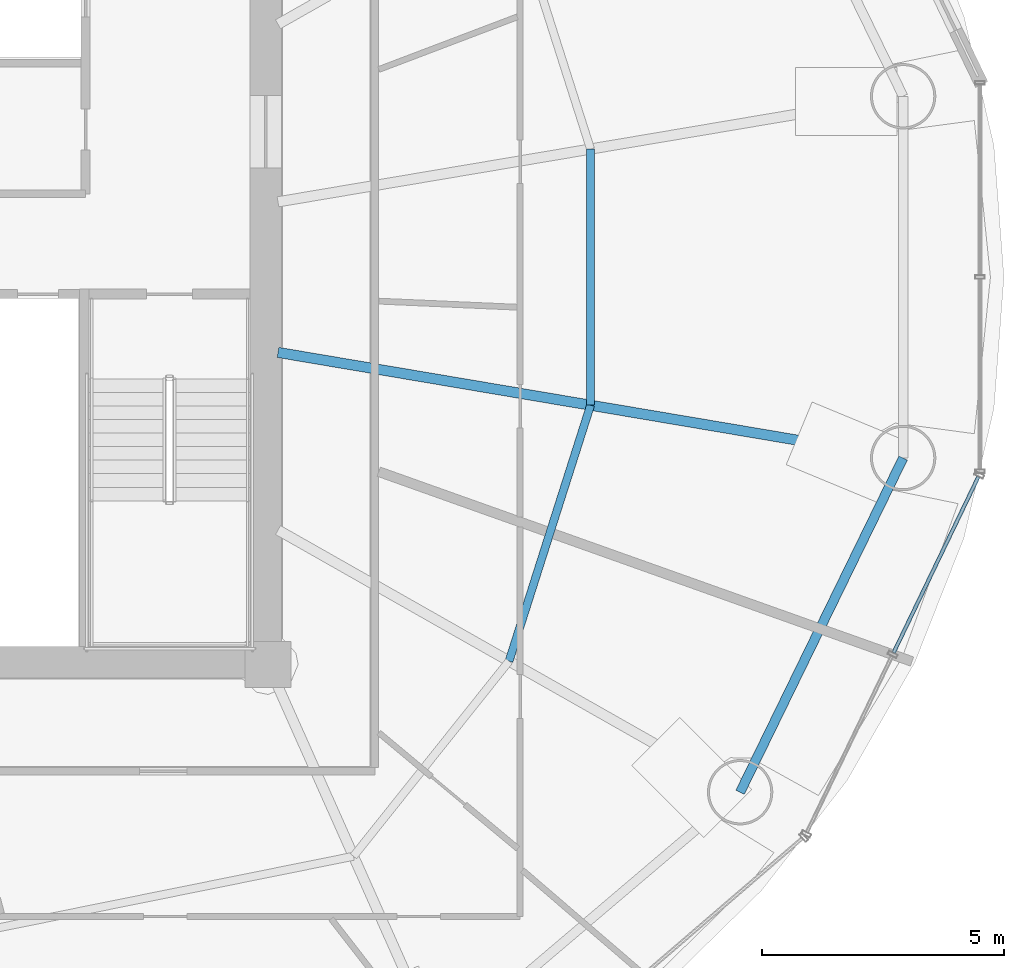
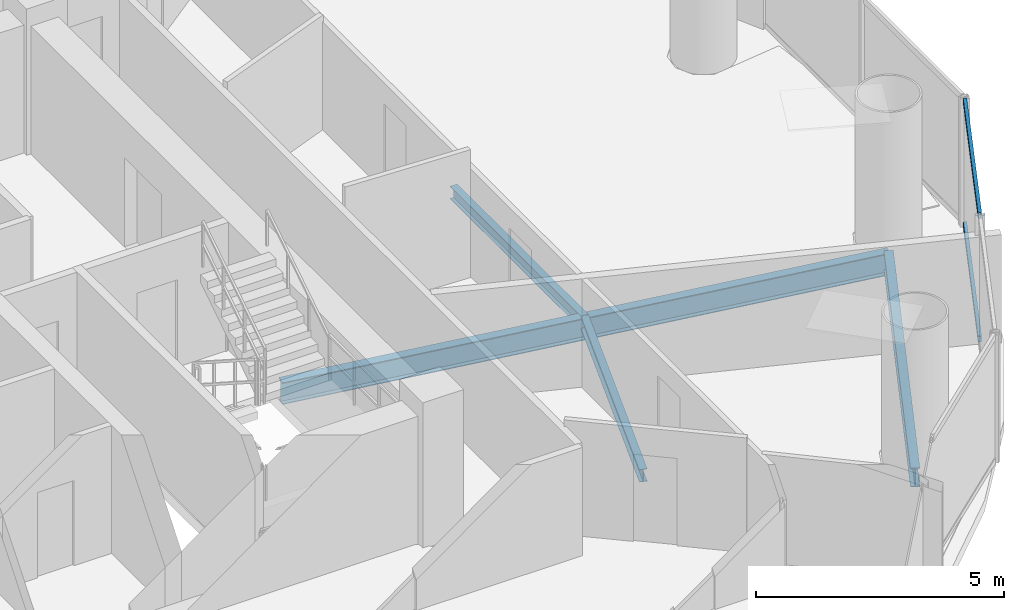
# One storey, part 11 of 26: 4 beams, 2 members, 1 element without a shape of its own.
"""IFC4 building model written with IfcOpenShell, lengths in metres."""

from ifc_helpers import new_model, si_unit, direction, frame, origin, origin_2d, place, context, subcontext, project, spatial, hollow_rectangle, i_section, extrude, source, transform, mapped, material, material_profile, profile_set, type_object, element, aggregate, save


model = new_model("IFC4")

# Units and contexts
model_context = context("Model", 3, precision=1e-05, world=origin(), true_north=direction((-0.2419218956, 0.970295726276)))
body_context = subcontext(model_context, "Body", "Model", "MODEL_VIEW")
ifc_project = project(units=[si_unit("LENGTHUNIT", "METRE"), si_unit("AREAUNIT", "SQUARE_METRE"), si_unit("VOLUMEUNIT", "CUBIC_METRE"), si_unit("PLANEANGLEUNIT", "RADIAN"), si_unit("MASSUNIT", "GRAM", prefix="KILO")], contexts=[model_context])

# Site, building, storey
site_placement = place(None, origin())
site = spatial("IfcSite", under=ifc_project, at=site_placement, CompositionType="ELEMENT")
building_placement = place(site_placement, origin())
building = spatial("IfcBuilding", under=site, at=building_placement, Name="Cobrevalo Terracotta Tower", CompositionType="ELEMENT")
storey_placement = place(building_placement, frame((0.0, 0.0, 182.199951171875)))
storey = spatial("IfcBuildingStorey", under=building, at=storey_placement, Name="L48", CompositionType="ELEMENT", Elevation=182.199951171875)

# Beams
ifc_material_1 = material(Name="Steel S355", Category="steel")
ifc_material_profile_1 = material_profile(ifc_material_1, i_section(OverallWidth=0.2109375, OverallDepth=0.5390625, WebThickness=0.01171875, FlangeThickness=0.018798828125, at=origin_2d()), Name="W 530x109")
ifc_profile_set_1 = profile_set([ifc_material_profile_1], Name="Steel S355")
beam_type_1 = type_object("IfcBeamType", Name="Structural Beam W 530x109 (Steel S355)", PredefinedType="BEAM", material=ifc_profile_set_1)
beam_1_placement = place(storey_placement, frame((60.11669921875, 23.06396484375, -0.53955078125), z_axis=(-0.986029732232, 0.166569406417, 0.0), x_axis=(-0.166569406417, -0.986029732232, 0.0)))
element("IfcBeam", 1, at=beam_1_placement, inside=storey, type_object=beam_type_1, Name="L48 radial floor girder 16", PredefinedType="BEAM", context=body_context, shape_type="SweptSolid", body=[
    extrude(i_section(OverallWidth=0.2109375, OverallDepth=0.5390625, WebThickness=0.01171875, FlangeThickness=0.018798828125, at=origin_2d()), origin(), (0.0, 0.0, 1.0), 13.094482421875),
])
ifc_material_profile_2 = material_profile(ifc_material_1, i_section(OverallWidth=0.1650390625, OverallDepth=0.31005859375, WebThickness=0.005859375, FlangeThickness=0.009765625, at=origin_2d()), Name="W 310x38.7")
ifc_profile_set_2 = profile_set([ifc_material_profile_2], Name="Steel S355")
beam_type_2 = type_object("IfcBeamType", Name="Structural Joist W 310x38.7 (Steel S355)", PredefinedType="JOIST", material=ifc_profile_set_2)
beam_2_placement = place(storey_placement, frame((51.977294921875, 18.868896484375, -0.425048828125), z_axis=(0.303497928386, 0.952832098255, 0.0), x_axis=(-0.952832098255, 0.303497928386, 0.0)))
element("IfcBeam", 2, at=beam_2_placement, inside=storey, type_object=beam_type_2, Name="L48 circumferential secondary floor joist 15", PredefinedType="JOIST", context=body_context, shape_type="SweptSolid", body=[
    extrude(i_section(OverallWidth=0.1650390625, OverallDepth=0.31005859375, WebThickness=0.005859375, FlangeThickness=0.009765625, at=origin_2d()), origin(), (0.0, 0.0, 1.0), 5.54736328125),
])
beam_3_placement = place(storey_placement, frame((53.660888671875, 24.154541015625, -0.425048828125), z_axis=(0.0, 1.0, 0.0), x_axis=(-1.0, 0.0, 0.0)))
element("IfcBeam", 3, at=beam_3_placement, inside=storey, type_object=beam_type_2, Name="L48 circumferential secondary floor joist 16", PredefinedType="JOIST", context=body_context, shape_type="SweptSolid", body=[
    extrude(i_section(OverallWidth=0.1650390625, OverallDepth=0.31005859375, WebThickness=0.005859375, FlangeThickness=0.009765625, at=origin_2d()), origin(), (0.0, 0.0, 1.0), 5.291015625),
])
ifc_material_profile_3 = material_profile(ifc_material_1, i_section(OverallWidth=0.194091796875, OverallDepth=0.468994140625, WebThickness=0.011474609375, FlangeThickness=0.0205078125, at=origin_2d()), Name="W 460x106")
ifc_profile_set_3 = profile_set([ifc_material_profile_3], Name="Steel S355")
beam_type_3 = type_object("IfcBeamType", Name="Structural Spandrel W 460x106 (Steel S355)", PredefinedType="SPANDREL", material=ifc_profile_set_3)
beam_4_placement = place(storey_placement, frame((56.749755859375, 16.160888671875, -0.50439453125), z_axis=(0.438380418332, 0.898789524206, 0.0), x_axis=(-0.898789524206, 0.438380418332, 0.0)))
element("IfcBeam", 4, at=beam_4_placement, inside=storey, type_object=beam_type_3, Name="L48 perimeter ring spandrel 15", PredefinedType="SPANDREL", context=body_context, shape_type="SweptSolid", body=[
    extrude(i_section(OverallWidth=0.194091796875, OverallDepth=0.468994140625, WebThickness=0.011474609375, FlangeThickness=0.0205078125, at=origin_2d()), origin(), (0.0, 0.0, 1.0), 7.680419921875),
])

# Curtain wall, members
ifc_material_2 = material(Name="Anodized aluminium", Category="aluminium")
curtain_wall_type = type_object("IfcCurtainWallType", Name="Mid-tower high-wind unitised curtain wall CW-U2", PredefinedType="NOTDEFINED", material=ifc_material_2)
curtain_wall_placement = place(storey_placement, origin())
curtain_wall = element("IfcCurtainWall", 5, at=curtain_wall_placement, inside=storey, type_object=curtain_wall_type, Name="L48 curtain wall CW-L48-S15", PredefinedType="NOTDEFINED")
ifc_material_profile_4 = material_profile(ifc_material_2, hollow_rectangle(XDim=0.074951171875, YDim=0.14990234375, WallThickness=0.00439453125, at=origin_2d()), Name="CWT 75x150")
ifc_profile_set_4 = profile_set([ifc_material_profile_4], Name="Anodized aluminium")
member_type = type_object("IfcMemberType", Name="Tower unitised aluminium transom 75x150", PredefinedType="USERDEFINED", material=ifc_profile_set_4)
shared_shape = source(origin(), body_context, "Body", "SweptSolid", [
    extrude(hollow_rectangle(XDim=0.074951171875, YDim=0.14990234375, WallThickness=0.00439453125, at=origin_2d()), origin(), (0.0, 0.0, 1.0), 4.035888671875),
])
member_1_placement = place(storey_placement, frame((59.91845703125, 19.04052734375, 0.050048828125), z_axis=(0.434221176581, 0.900806288726, 0.0), x_axis=(-0.900806288726, 0.434221176581, 0.0)))
member_1 = element("IfcMember", 6, at=member_1_placement, type_object=member_type, Name="CW-L48-S15 transom B02-T1", ObjectType="TRANSOM", PredefinedType="USERDEFINED", context=body_context, shape_type="MappedRepresentation", body=[
    mapped(shared_shape, transform((0.0, 0.0, 0.0), scale=1.0)),
])
member_2_placement = place(storey_placement, frame((59.91845703125, 19.04052734375, 3.10009765625), z_axis=(0.434221176581, 0.900806288726, 0.0), x_axis=(-0.900806288726, 0.434221176581, 0.0)))
member_2 = element("IfcMember", 7, at=member_2_placement, type_object=member_type, Name="CW-L48-S15 transom B02-T2", ObjectType="TRANSOM", PredefinedType="USERDEFINED", context=body_context, shape_type="MappedRepresentation", body=[
    mapped(shared_shape, transform((0.0, 0.0, 0.0), scale=1.0)),
])
aggregate(curtain_wall, [member_1, member_2])

save(model, "model.ifc")
